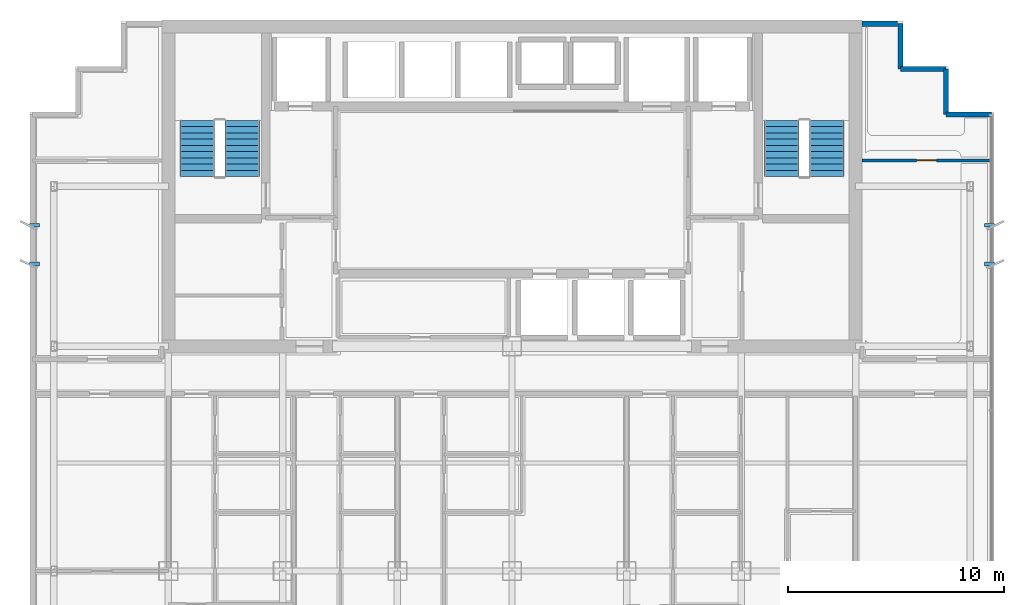
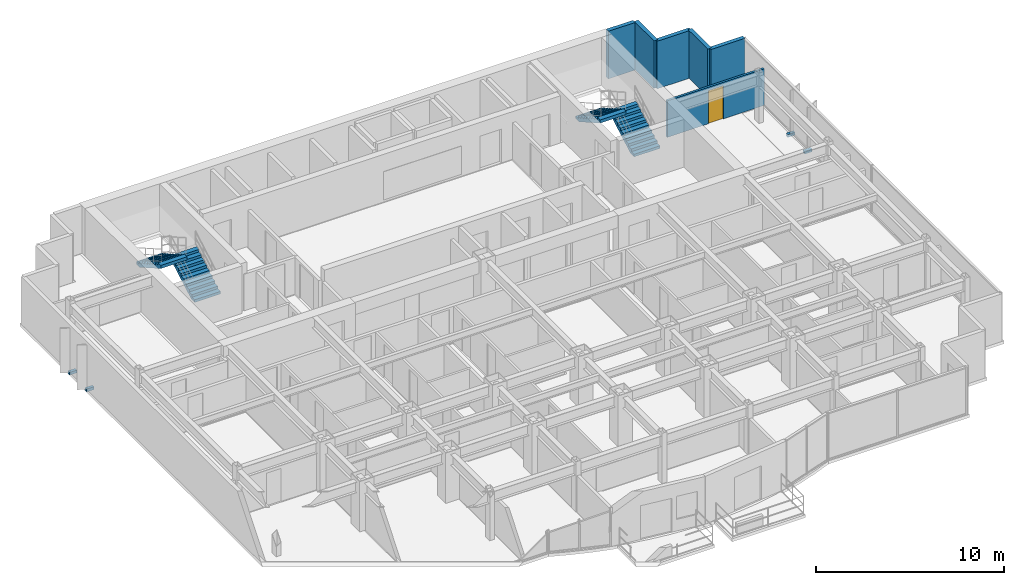
# One storey, part 11 of 13: 6 walls, 4 discrete accessories, 4 stair flights, 1 door, 1 opening, 2 elements without a shape of their own.
"""IFC4 building model written with IfcOpenShell, lengths in metres."""

from ifc_helpers import new_model, si_unit, direction, frame, frame_2d, origin, origin_2d, place, context, subcontext, project, spatial, polyline, rectangle, outline, extrude, source, transform, mapped, material, layer, layer_set, type_object, element, fill, aggregate, save


model = new_model("IFC4")

# Units and contexts
model_context = context("Model", 3, precision=1e-05, world=origin(), true_north=direction((0.0, 1.0)))
body_context = subcontext(model_context, "Body", "Model", "MODEL_VIEW")
ifc_project = project(units=[si_unit("LENGTHUNIT", "METRE"), si_unit("AREAUNIT", "SQUARE_METRE"), si_unit("VOLUMEUNIT", "CUBIC_METRE"), si_unit("PLANEANGLEUNIT", "RADIAN"), si_unit("MASSUNIT", "GRAM", prefix="KILO")], contexts=[model_context])

# Site, building, storey
site_placement = place(None, origin())
site = spatial("IfcSite", under=ifc_project, at=site_placement, CompositionType="ELEMENT")
building_placement = place(site_placement, origin())
building = spatial("IfcBuilding", under=site, at=building_placement, Name="Qianlan Lanfeng Residences", CompositionType="ELEMENT")
storey_placement = place(building_placement, frame((0.0, 0.0, 142.5)))
storey = spatial("IfcBuildingStorey", under=building, at=storey_placement, Name="L38", CompositionType="ELEMENT", Elevation=142.5)

# Walls
ifc_material_1 = material(Name="Concrete C42", Category="concrete")
ifc_layer_1 = layer(ifc_material_1, 0.239990234375)
ifc_layer_set_1 = layer_set([ifc_layer_1], Name="Concrete C42")
wall_type_1 = type_object("IfcWallType", Name="EW-240", PredefinedType="SOLIDWALL", material=ifc_layer_set_1)
wall_1_placement = place(storey_placement, frame((48.679931640625, 35.929931640625, 0.0), z_axis=(0.0, 0.0, 1.0), x_axis=(-1.0, 0.0, 0.0)))
element("IfcWall", 1, at=wall_1_placement, inside=storey, type_object=wall_type_1, Name="L38 Exterior Facade Spandrel Wall 11", PredefinedType="SOLIDWALL", context=body_context, shape_type="SweptSolid", body=[
    extrude(rectangle(XDim=2.099853515625, YDim=0.239990234375, at=frame_2d((1.0498046875, 0.0))), origin(), (0.0, 0.0, 1.0), 3.10009765625),
])
for number, where, z_axis, x_axis, name in (
    (2, (46.580078125, 35.929931640625, 0.0), (0.0, 0.0, 1.0), (0.0, 1.0, 0.0), "L38 Exterior Facade Spandrel Wall 12"),
    (3, (46.580078125, 38.030029296875, 0.0), (0.0, 0.0, 1.0), (-1.0, 0.0, 0.0), "L38 Exterior Facade Spandrel Wall 13"),
):
    element("IfcWall", number, at=place(storey_placement, frame(where, z_axis=z_axis, x_axis=x_axis)), inside=storey, type_object=wall_type_1, Name=name, PredefinedType="SOLIDWALL", context=body_context, shape_type="SweptSolid", body=[
        extrude(rectangle(XDim=2.10009765625, YDim=0.239990234375, at=frame_2d((1.050048828125, 0.0))), origin(), (0.0, 0.0, 1.0), 3.10009765625),
    ])
wall_2_placement = place(storey_placement, frame((44.47998046875, 38.030029296875, 0.0), z_axis=(0.0, 0.0, 1.0), x_axis=(0.0, 1.0, 0.0)))
element("IfcWall", 4, at=wall_2_placement, inside=storey, type_object=wall_type_1, Name="L38 Exterior Facade Spandrel Wall 14", PredefinedType="SOLIDWALL", context=body_context, shape_type="SweptSolid", body=[
    extrude(rectangle(XDim=2.099853515625, YDim=0.239990234375, at=frame_2d((1.0498046875, 0.0))), origin(), (0.0, 0.0, 1.0), 3.10009765625),
])
wall_3_placement = place(storey_placement, frame((44.35009765625, 40.1298828125, 0.0), z_axis=(0.0, 0.0, 1.0), x_axis=(-1.0, 0.0, 0.0)))
element("IfcWall", 5, at=wall_3_placement, inside=storey, type_object=wall_type_1, Name="L38 North Wing Exterior Wall E", PredefinedType="SOLIDWALL", context=body_context, shape_type="SweptSolid", body=[
    extrude(rectangle(XDim=1.650146484375, YDim=0.239990234375, at=frame_2d((0.8251953125, 0.0))), origin(), (0.0, 0.0, 1.0), 3.10009765625),
])

# Wall, opening, door
ifc_material_2 = material(Name="Moisture-Resistant Gypsum Partition 135 mm")
ifc_layer_2 = layer(ifc_material_2, 0.135009765625)
ifc_layer_set_2 = layer_set([ifc_layer_2], Name="Moisture-Resistant Gypsum Partition 135 mm")
wall_type_2 = type_object("IfcWallType", Name="PW-135", PredefinedType="PARTITIONING", material=ifc_layer_set_2)
wall_4_placement = place(storey_placement, frame((42.699951171875, 33.800048828125, 0.0), z_axis=(0.0, 0.0, 1.0), x_axis=(1.0, 0.0, 0.0)))
wall_4 = element("IfcWall", 6, at=wall_4_placement, inside=storey, type_object=wall_type_2, Name="L38 EW North Wing Wall", PredefinedType="PARTITIONING", context=body_context, shape_type="SweptSolid", body=[
    extrude(rectangle(XDim=5.97998046875, YDim=0.135009765625, at=frame_2d((2.989990234375, 0.0))), origin(), (0.0, 0.0, 1.0), 2.3798828125),
])
opening_placement = place(wall_4_placement, frame((2.530029296875, 0.0, 0.0)))
opening = element("IfcOpeningElement", 7, at=opening_placement, cuts=wall_4, Name="Opening L38-D46", PredefinedType="OPENING", context=body_context, shape_type="SweptSolid", body=[
    extrude(rectangle(XDim=0.919921875, YDim=2.14990234375, at=frame_2d((0.4599609375, 1.074951171875))), frame((0.0, 0.07763671875, 0.0), z_axis=(0.0, -1.0, 0.0), x_axis=(1.0, 0.0, 0.0)), (0.0, 0.0, 1.0), 0.155029296875),
])
ifc_material_3 = material(Name="Glazed Timber Kitchen/Study Door", Category="wood")
door_type = type_object("IfcDoorType", Name="DT-INT", OperationType="NOTDEFINED", PredefinedType="DOOR", material=ifc_material_3)
door_placement = place(opening_placement, origin())
door = element("IfcDoor", 8, at=door_placement, inside=storey, type_object=door_type, Name="L38 EW Inner Salon Door L38-D46 (DT-INT)", OperationType="SINGLE_SWING_LEFT", OverallHeight=2.14990234375, OverallWidth=0.919921875, PredefinedType="DOOR", context=body_context, shape_type="SweptSolid", body=[
    extrude(rectangle(XDim=0.919921875, YDim=2.14990234375, at=frame_2d((0.4599609375, 1.074951171875))), frame((0.0, 0.02490234375, 0.0), z_axis=(0.0, -1.0, 0.0), x_axis=(1.0, 0.0, 0.0)), (0.0, 0.0, 1.0), 0.050048828125),
])
fill(opening, door)

# Stair, stair flights
stair_type = type_object("IfcStairType", Name="STR-MAIN", PredefinedType="HALF_TURN_STAIR", material=ifc_material_1)
stair_1_placement = place(storey_placement, origin())
stair_1 = element("IfcStair", 9, at=stair_1_placement, inside=storey, type_object=stair_type, Name="L38 Exit Stair ST-1", PredefinedType="HALF_TURN_STAIR")
stair_flight_type = type_object("IfcStairFlightType", Name="FLT-1720", PredefinedType="STRAIGHT", material=ifc_material_1)
stair_flight_1_placement = place(storey_placement, frame((14.02001953125, 33.050048828125, 0.0), z_axis=(0.0, 0.0, 1.0), x_axis=(0.0, 1.0, 0.0)))
stair_flight_1 = element("IfcStairFlight", 10, at=stair_flight_1_placement, type_object=stair_flight_type, Name="ST-1 flight 1", NumberOfRisers=10, NumberOfTreads=9, PredefinedType="STRAIGHT", RiserHeight=0.165, TreadLength=0.29, context=body_context, shape_type="SweptSolid", body=[
    extrude(outline(polyline([(0.0, 0.0), (0.0, 0.1650390625), (0.2900390625, 0.1650390625), (0.2900390625, 0.330078125), (0.580078125, 0.330078125), (0.580078125, 0.4951171875), (0.8701171875, 0.4951171875), (0.8701171875, 0.659912109375), (1.159912109375, 0.659912109375), (1.159912109375, 0.824951171875), (1.449951171875, 0.824951171875), (1.449951171875, 0.989990234375), (1.739990234375, 0.989990234375), (1.739990234375, 1.155029296875), (2.030029296875, 1.155029296875), (2.030029296875, 1.320068359375), (2.320068359375, 1.320068359375), (2.320068359375, 1.485107421875), (2.610107421875, 1.485107421875), (2.610107421875, 1.64990234375), (2.610107421875, 1.278076171875), (0.36376953125, 0.0), (0.0, 0.0)])), frame((0.0, 0.800048828125, 0.0), z_axis=(0.0, -1.0, 0.0), x_axis=(1.0, 0.0, 0.0)), (0.0, 0.0, 1.0), 1.60009765625),
])
stair_flight_2_placement = place(storey_placement, frame((11.93994140625, 35.659912109375, 1.64990234375), z_axis=(0.0, 0.0, 1.0), x_axis=(0.0, -1.0, 0.0)))
stair_flight_2 = element("IfcStairFlight", 11, at=stair_flight_2_placement, type_object=stair_flight_type, Name="ST-1 flight 2", NumberOfRisers=10, NumberOfTreads=9, PredefinedType="STRAIGHT", RiserHeight=0.165, TreadLength=0.29, context=body_context, shape_type="SweptSolid", body=[
    extrude(outline(polyline([(0.0, 0.0), (0.0, 0.1650390625), (0.2900390625, 0.1650390625), (0.2900390625, 0.330078125), (0.580078125, 0.330078125), (0.580078125, 0.4951171875), (0.8701171875, 0.4951171875), (0.8701171875, 0.659912109375), (1.159912109375, 0.659912109375), (1.159912109375, 0.824951171875), (1.449951171875, 0.824951171875), (1.449951171875, 0.989990234375), (1.739990234375, 0.989990234375), (1.739990234375, 1.155029296875), (2.030029296875, 1.155029296875), (2.030029296875, 1.320068359375), (2.320068359375, 1.320068359375), (2.320068359375, 1.485107421875), (2.610107421875, 1.485107421875), (2.610107421875, 1.64990234375), (2.610107421875, 1.278076171875), (0.36376953125, 0.0), (0.0, 0.0)])), frame((0.0, 0.800048828125, 0.0), z_axis=(0.0, -1.0, 0.0), x_axis=(1.0, 0.0, 0.0)), (0.0, 0.0, 1.0), 1.60009765625),
])
aggregate(stair_1, [stair_flight_1, stair_flight_2])

stair_2_placement = place(storey_placement, origin())
stair_2 = element("IfcStair", 12, at=stair_2_placement, inside=storey, type_object=stair_type, Name="L38 Exit Stair ST-2", PredefinedType="HALF_TURN_STAIR")
stair_flight_3_placement = place(storey_placement, frame((41.06005859375, 33.050048828125, 0.0), z_axis=(0.0, 0.0, 1.0), x_axis=(0.0, 1.0, 0.0)))
stair_flight_3 = element("IfcStairFlight", 13, at=stair_flight_3_placement, type_object=stair_flight_type, Name="ST-2 flight 1", NumberOfRisers=10, NumberOfTreads=9, PredefinedType="STRAIGHT", RiserHeight=0.165, TreadLength=0.29, context=body_context, shape_type="SweptSolid", body=[
    extrude(outline(polyline([(0.0, 0.0), (0.0, 0.1650390625), (0.2900390625, 0.1650390625), (0.2900390625, 0.330078125), (0.580078125, 0.330078125), (0.580078125, 0.4951171875), (0.8701171875, 0.4951171875), (0.8701171875, 0.659912109375), (1.159912109375, 0.659912109375), (1.159912109375, 0.824951171875), (1.449951171875, 0.824951171875), (1.449951171875, 0.989990234375), (1.739990234375, 0.989990234375), (1.739990234375, 1.155029296875), (2.030029296875, 1.155029296875), (2.030029296875, 1.320068359375), (2.320068359375, 1.320068359375), (2.320068359375, 1.485107421875), (2.610107421875, 1.485107421875), (2.610107421875, 1.64990234375), (2.610107421875, 1.278076171875), (0.36376953125, 0.0), (0.0, 0.0)])), frame((0.0, 0.800048828125, 0.0), z_axis=(0.0, -1.0, 0.0), x_axis=(1.0, 0.0, 0.0)), (0.0, 0.0, 1.0), 1.60009765625),
])
stair_flight_4_placement = place(storey_placement, frame((38.97998046875, 35.659912109375, 1.64990234375), z_axis=(0.0, 0.0, 1.0), x_axis=(0.0, -1.0, 0.0)))
stair_flight_4 = element("IfcStairFlight", 14, at=stair_flight_4_placement, type_object=stair_flight_type, Name="ST-2 flight 2", NumberOfRisers=10, NumberOfTreads=9, PredefinedType="STRAIGHT", RiserHeight=0.165, TreadLength=0.29, context=body_context, shape_type="SweptSolid", body=[
    extrude(outline(polyline([(0.0, 0.0), (0.0, 0.1650390625), (0.2900390625, 0.1650390625), (0.2900390625, 0.330078125), (0.580078125, 0.330078125), (0.580078125, 0.4951171875), (0.8701171875, 0.4951171875), (0.8701171875, 0.659912109375), (1.159912109375, 0.659912109375), (1.159912109375, 0.824951171875), (1.449951171875, 0.824951171875), (1.449951171875, 0.989990234375), (1.739990234375, 0.989990234375), (1.739990234375, 1.155029296875), (2.030029296875, 1.155029296875), (2.030029296875, 1.320068359375), (2.320068359375, 1.320068359375), (2.320068359375, 1.485107421875), (2.610107421875, 1.485107421875), (2.610107421875, 1.64990234375), (2.610107421875, 1.278076171875), (0.36376953125, 0.0), (0.0, 0.0)])), frame((0.0, 0.800048828125, 0.0), z_axis=(0.0, -1.0, 0.0), x_axis=(1.0, 0.0, 0.0)), (0.0, 0.0, 1.0), 1.60009765625),
])
aggregate(stair_2, [stair_flight_3, stair_flight_4])

# Discrete accessories
ifc_material_4 = material(Name="Stainless Steel Facade Bracket", Category="steel")
discrete_accessory_type = type_object("IfcDiscreteAccessoryType", Name="BRK-SS-350", PredefinedType="BRACKET", material=ifc_material_4)
shared_shape = source(origin(), body_context, "Body", "SweptSolid", [
    extrude(rectangle(XDim=0.449951171875, YDim=0.179931640625, at=origin_2d()), origin(), (0.0, 0.0, 1.0), 0.179931640625),
])
for number, where, z_axis, x_axis, name in (
    (15, (4.39990234375, 29.0, -0.14990234375), (0.0, 0.0, 1.0), (1.0, 0.0, 0.0), "L38 Raked Solar Fin Support Bracket W1"),
    (16, (4.39990234375, 30.800048828125, -0.14990234375), (0.0, 0.0, 1.0), (1.0, 0.0, 0.0), "L38 Raked Solar Fin Support Bracket W2"),
    (17, (48.60009765625, 29.0, -0.14990234375), (0.0, 0.0, 1.0), (1.0, 0.0, 0.0), "L38 Raked Solar Fin Support Bracket E1"),
    (18, (48.60009765625, 30.800048828125, -0.14990234375), (0.0, 0.0, 1.0), (1.0, 0.0, 0.0), "L38 Raked Solar Fin Support Bracket E2"),
):
    element("IfcDiscreteAccessory", number, at=place(storey_placement, frame(where, z_axis=z_axis, x_axis=x_axis)), inside=storey, type_object=discrete_accessory_type, Name=name, PredefinedType="BRACKET", context=body_context, shape_type="MappedRepresentation", body=[
        mapped(shared_shape, transform((0.0, 0.0, 0.0), scale=1.0)),
    ])

save(model, "model.ifc")
